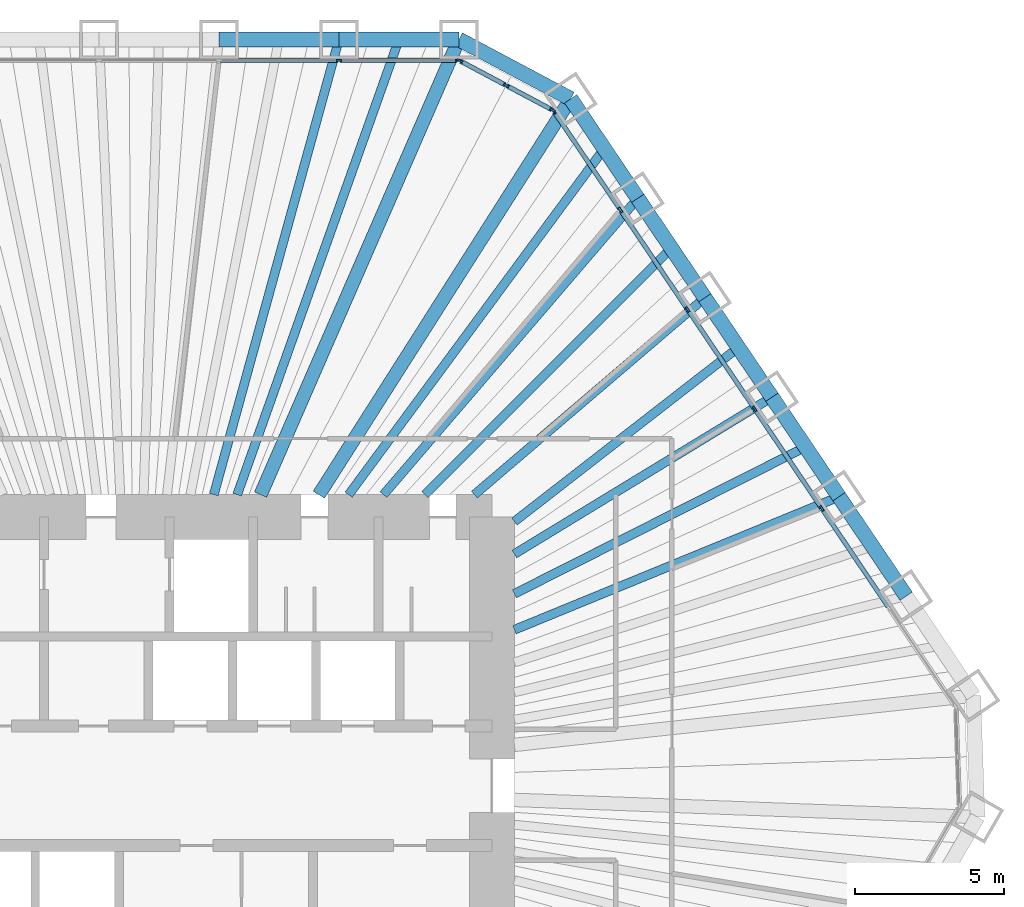
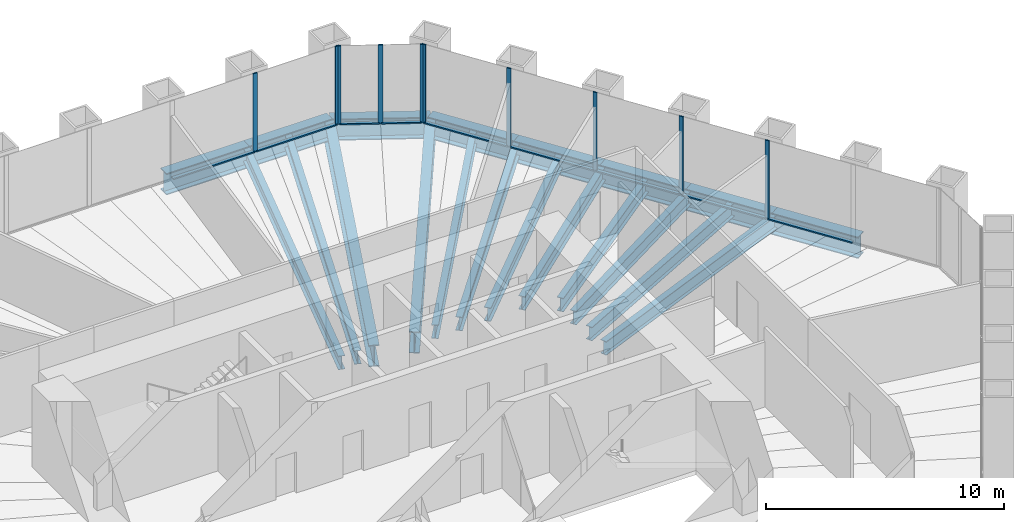
# One storey, part 7 of 13: 20 beams, 19 members, 3 elements without a shape of their own.
"""IFC4 building model written with IfcOpenShell, lengths in metres."""

from ifc_helpers import new_model, si_unit, direction, frame, origin, origin_2d, place, context, subcontext, project, spatial, rectangle, i_section, extrude, material, material_profile, profile_set, type_object, element, aggregate, save


model = new_model("IFC4")

# Units and contexts
model_context = context("Model", 3, precision=1e-05, world=origin(), true_north=direction((0.0, 1.0)))
body_context = subcontext(model_context, "Body", "Model", "MODEL_VIEW")
ifc_project = project(units=[si_unit("LENGTHUNIT", "METRE"), si_unit("AREAUNIT", "SQUARE_METRE"), si_unit("VOLUMEUNIT", "CUBIC_METRE"), si_unit("PLANEANGLEUNIT", "RADIAN"), si_unit("MASSUNIT", "GRAM", prefix="KILO")], contexts=[model_context])

# Site, building, storey
site_placement = place(None, origin())
site = spatial("IfcSite", under=ifc_project, at=site_placement, CompositionType="ELEMENT")
building_placement = place(site_placement, origin())
building = spatial("IfcBuilding", under=site, at=building_placement, Name="Qingtian Harvest Tower", CompositionType="ELEMENT")
storey_placement = place(building_placement, frame((0.0, 0.0, 153.39990234375)))
storey = spatial("IfcBuildingStorey", under=building, at=storey_placement, Name="L32", CompositionType="ELEMENT", Elevation=153.39990234375)

# Beams
ifc_material_1 = material(Name="Steel SM570MC", Category="steel")
ifc_material_profile_1 = material_profile(ifc_material_1, i_section(OverallWidth=0.449951171875, OverallDepth=1.10009765625, WebThickness=0.02197265625, FlangeThickness=0.044921875, at=origin_2d()), Name="H1100x450x22x45")
ifc_profile_set_1 = profile_set([ifc_material_profile_1], Name="Steel SM570MC")
beam_type_1 = type_object("IfcBeamType", Name="Corner floor beam FB8 H1100x450x22x45", PredefinedType="BEAM", material=ifc_profile_set_1)
beam_1_placement = place(storey_placement, frame((10.892822265625, 25.0, -0.719970703125), z_axis=(-0.399451016538, -0.916754539333, 0.0), x_axis=(0.916754539333, -0.399451016538, 0.0)))
element("IfcBeam", 1, at=beam_1_placement, inside=storey, type_object=beam_type_1, Name="Floor beam FB8 N6", PredefinedType="BEAM", context=body_context, shape_type="SweptSolid", body=[
    extrude(i_section(OverallWidth=0.449951171875, OverallDepth=1.10009765625, WebThickness=0.02197265625, FlangeThickness=0.044921875, at=origin_2d()), origin(), (0.0, 0.0, 1.0), 16.634765625),
])
beam_2_placement = place(storey_placement, frame((14.634765625, 23.01025390625, -0.719970703125), z_axis=(-0.536660352939, -0.843798355997, 0.0), x_axis=(0.843798355997, -0.536660352939, 0.0)))
element("IfcBeam", 2, at=beam_2_placement, inside=storey, type_object=beam_type_1, Name="Floor beam FB8 NE0", PredefinedType="BEAM", context=body_context, shape_type="SweptSolid", body=[
    extrude(i_section(OverallWidth=0.449951171875, OverallDepth=1.10009765625, WebThickness=0.02197265625, FlangeThickness=0.044921875, at=origin_2d()), origin(), (0.0, 0.0, 1.0), 15.71484375),
])
ifc_material_2 = material(Name="Steel SN490B", Category="steel")
ifc_material_profile_2 = material_profile(ifc_material_2, i_section(OverallWidth=0.300048828125, OverallDepth=0.699951171875, WebThickness=0.012939453125, FlangeThickness=0.02392578125, at=origin_2d()), Name="H700x300x13x24")
ifc_profile_set_2 = profile_set([ifc_material_profile_2], Name="Steel SN490B")
beam_type_2 = type_object("IfcBeamType", Name="Floor beam FB2 H700x300x13x24", PredefinedType="BEAM", material=ifc_profile_set_2)
beam_3_placement = place(storey_placement, frame((6.873779296875, 25.0, -0.52001953125), z_axis=(-0.265119170108, -0.964215653078, 0.0), x_axis=(0.964215653078, -0.265119170108, 0.0)))
element("IfcBeam", 3, at=beam_3_placement, inside=storey, type_object=beam_type_2, Name="Floor beam FB2 N5", PredefinedType="BEAM", context=body_context, shape_type="SweptSolid", body=[
    extrude(i_section(OverallWidth=0.300048828125, OverallDepth=0.699951171875, WebThickness=0.012939453125, FlangeThickness=0.02392578125, at=origin_2d()), origin(), (0.0, 0.0, 1.0), 15.81591796875),
])
beam_4_placement = place(storey_placement, frame((16.88232421875, 19.67822265625, -0.52001953125), z_axis=(-0.651140196702, -0.758957471957, 0.0), x_axis=(0.758957471957, -0.651140196702, 0.0)))
element("IfcBeam", 4, at=beam_4_placement, inside=storey, type_object=beam_type_2, Name="Floor beam FB2 NE1", PredefinedType="BEAM", context=body_context, shape_type="SweptSolid", body=[
    extrude(i_section(OverallWidth=0.300048828125, OverallDepth=0.699951171875, WebThickness=0.012939453125, FlangeThickness=0.02392578125, at=origin_2d()), origin(), (0.0, 0.0, 1.0), 13.081298828125),
])
beam_5_placement = place(storey_placement, frame((19.129638671875, 16.346435546875, -0.52001953125), z_axis=(-0.760241810635, -0.649640199928, 0.0), x_axis=(0.649640199928, -0.760241810635, 0.0)))
element("IfcBeam", 5, at=beam_5_placement, inside=storey, type_object=beam_type_2, Name="Floor beam FB2 NE2", PredefinedType="BEAM", context=body_context, shape_type="SweptSolid", body=[
    extrude(i_section(OverallWidth=0.300048828125, OverallDepth=0.699951171875, WebThickness=0.012939453125, FlangeThickness=0.02392578125, at=origin_2d()), origin(), (0.0, 0.0, 1.0), 10.154052734375),
])
beam_6_placement = place(storey_placement, frame((21.377197265625, 13.014404296875, -0.52001953125), z_axis=(-0.854160745245, -0.520009058846, 0.0), x_axis=(0.520009058846, -0.854160745245, 0.0)))
element("IfcBeam", 6, at=beam_6_placement, inside=storey, type_object=beam_type_2, Name="Floor beam FB2 NE3", PredefinedType="BEAM", context=body_context, shape_type="SweptSolid", body=[
    extrude(i_section(OverallWidth=0.300048828125, OverallDepth=0.699951171875, WebThickness=0.012939453125, FlangeThickness=0.02392578125, at=origin_2d()), origin(), (0.0, 0.0, 1.0), 10.10009765625),
])
beam_7_placement = place(storey_placement, frame((23.62451171875, 9.682373046875, -0.52001953125), z_axis=(-0.925304541163, -0.379224875375, 0.0), x_axis=(0.379224875375, -0.925304541163, 0.0)))
element("IfcBeam", 7, at=beam_7_placement, inside=storey, type_object=beam_type_2, Name="Floor beam FB2 NE4", PredefinedType="BEAM", context=body_context, shape_type="SweptSolid", body=[
    extrude(i_section(OverallWidth=0.300048828125, OverallDepth=0.699951171875, WebThickness=0.012939453125, FlangeThickness=0.02392578125, at=origin_2d()), origin(), (0.0, 0.0, 1.0), 11.75244140625),
])
ifc_material_3 = material(Name="Steel SN490B", Category="steel")
ifc_material_profile_3 = material_profile(ifc_material_3, i_section(OverallWidth=0.300048828125, OverallDepth=0.699951171875, WebThickness=0.012939453125, FlangeThickness=0.02392578125, at=origin_2d()), Name="H700x300x13x24")
ifc_profile_set_3 = profile_set([ifc_material_profile_3], Name="Steel SN490B")
beam_type_3 = type_object("IfcBeamType", Name="Floor joist J2 H700x300x13x24", PredefinedType="JOIST", material=ifc_profile_set_3)
beam_8_placement = place(storey_placement, frame((8.88330078125, 25.0, -0.52001953125), z_axis=(-0.334829909573, -0.94227858495, 0.0), x_axis=(0.94227858495, -0.334829909573, 0.0)))
element("IfcBeam", 8, at=beam_8_placement, inside=storey, type_object=beam_type_3, Name="Floor joist J2 N5", PredefinedType="JOIST", context=body_context, shape_type="SweptSolid", body=[
    extrude(i_section(OverallWidth=0.300048828125, OverallDepth=0.699951171875, WebThickness=0.012939453125, FlangeThickness=0.02392578125, at=origin_2d()), origin(), (0.0, 0.0, 1.0), 16.18408203125),
])
beam_9_placement = place(storey_placement, frame((15.758544921875, 21.34423828125, -0.52001953125), z_axis=(-0.593960386058, -0.804494288229, 0.0), x_axis=(0.804494288229, -0.593960386058, 0.0)))
element("IfcBeam", 9, at=beam_9_placement, inside=storey, type_object=beam_type_3, Name="Floor joist J2 NE0", PredefinedType="JOIST", context=body_context, shape_type="SweptSolid", body=[
    extrude(i_section(OverallWidth=0.300048828125, OverallDepth=0.699951171875, WebThickness=0.012939453125, FlangeThickness=0.02392578125, at=origin_2d()), origin(), (0.0, 0.0, 1.0), 14.411865234375),
])
beam_10_placement = place(storey_placement, frame((18.005859375, 18.012451171875, -0.52001953125), z_axis=(-0.706970932755, -0.707242603524, 0.0), x_axis=(0.707242603524, -0.706970932755, 0.0)))
element("IfcBeam", 10, at=beam_10_placement, inside=storey, type_object=beam_type_3, Name="Floor joist J2 NE1", PredefinedType="JOIST", context=body_context, shape_type="SweptSolid", body=[
    extrude(i_section(OverallWidth=0.300048828125, OverallDepth=0.699951171875, WebThickness=0.012939453125, FlangeThickness=0.02392578125, at=origin_2d()), origin(), (0.0, 0.0, 1.0), 11.6826171875),
])
beam_11_placement = place(storey_placement, frame((20.25341796875, 14.680419921875, -0.52001953125), z_axis=(-0.789641272199, -0.61356879096, 0.0), x_axis=(0.61356879096, -0.789641272199, 0.0)))
element("IfcBeam", 11, at=beam_11_placement, inside=storey, type_object=beam_type_3, Name="Floor joist J2 NE2", PredefinedType="JOIST", context=body_context, shape_type="SweptSolid", body=[
    extrude(i_section(OverallWidth=0.300048828125, OverallDepth=0.699951171875, WebThickness=0.012939453125, FlangeThickness=0.02392578125, at=origin_2d()), origin(), (0.0, 0.0, 1.0), 9.502197265625),
])
beam_12_placement = place(storey_placement, frame((22.500732421875, 11.348388671875, -0.52001953125), z_axis=(-0.892861323685, -0.450331718478, 0.0), x_axis=(0.450331718478, -0.892861323685, 0.0)))
element("IfcBeam", 12, at=beam_12_placement, inside=storey, type_object=beam_type_3, Name="Floor joist J2 NE3", PredefinedType="JOIST", context=body_context, shape_type="SweptSolid", body=[
    extrude(i_section(OverallWidth=0.300048828125, OverallDepth=0.699951171875, WebThickness=0.012939453125, FlangeThickness=0.02392578125, at=origin_2d()), origin(), (0.0, 0.0, 1.0), 10.920654296875),
])

# Curtain wall, members
ifc_material_4 = material(Name="Bronze-anodised aluminium curtain wall", Category="aluminium")
curtain_wall_type = type_object("IfcCurtainWallType", Name="Curtain wall CW4 office", PredefinedType="USERDEFINED", material=ifc_material_4)
curtain_wall_1_placement = place(storey_placement, origin())
curtain_wall_1 = element("IfcCurtainWall", 13, at=curtain_wall_1_placement, inside=storey, type_object=curtain_wall_type, Name="Curtain wall CW4 L32 N0-5", ObjectType="RECESSED CURTAIN WALL", PredefinedType="USERDEFINED")
ifc_material_5 = material(Name="Bronze-anodised aluminium mullion", Category="aluminium")
ifc_material_profile_4 = material_profile(ifc_material_5, rectangle(XDim=0.06494140625, YDim=0.199951171875, at=origin_2d()), Name="AL 65x200")
ifc_profile_set_4 = profile_set([ifc_material_profile_4], Name="Bronze-anodised aluminium mullion")
member_type_1 = type_object("IfcMemberType", Name="Mullion CWM 65x200", PredefinedType="MULLION", material=ifc_profile_set_4)
member_1_placement = place(storey_placement, frame((6.873779296875, 24.300048828125, 0.0), z_axis=(0.0, 0.0, 1.0), x_axis=(0.0, 1.0, 0.0)))
member_1 = element("IfcMember", 14, at=member_1_placement, type_object=member_type_1, Name="CW4 mullion 6", PredefinedType="MULLION", context=body_context, shape_type="SweptSolid", body=[
    extrude(rectangle(XDim=0.06494140625, YDim=0.199951171875, at=origin_2d()), origin(), (0.0, 0.0, 1.0), 4.030029296875),
])
member_2_placement = place(storey_placement, frame((10.8603515625, 24.300048828125, 0.0), z_axis=(0.0, 0.0, 1.0), x_axis=(0.0, 1.0, 0.0)))
member_2 = element("IfcMember", 15, at=member_2_placement, type_object=member_type_1, Name="CW4 mullion 7", PredefinedType="MULLION", context=body_context, shape_type="SweptSolid", body=[
    extrude(rectangle(XDim=0.06494140625, YDim=0.199951171875, at=origin_2d()), origin(), (0.0, 0.0, 1.0), 4.030029296875),
])

curtain_wall_2_placement = place(storey_placement, origin())
curtain_wall_2 = element("IfcCurtainWall", 16, at=curtain_wall_2_placement, inside=storey, type_object=curtain_wall_type, Name="Curtain wall CW4 L32 NC", ObjectType="RECESSED CURTAIN WALL", PredefinedType="USERDEFINED")
member_3_placement = place(storey_placement, frame((10.92138671875, 24.28466796875, 0.0), z_axis=(0.0, 0.0, 1.0), x_axis=(0.469471562786, 0.882947592859, 0.0)))
member_3 = element("IfcMember", 17, at=member_3_placement, type_object=member_type_1, Name="CW4 mullion 1", PredefinedType="MULLION", context=body_context, shape_type="SweptSolid", body=[
    extrude(rectangle(XDim=0.06494140625, YDim=0.199951171875, at=origin_2d()), origin(), (0.0, 0.0, 1.0), 4.030029296875),
])
member_4_placement = place(storey_placement, frame((12.4736328125, 23.45947265625, 0.0), z_axis=(0.0, 0.0, 1.0), x_axis=(0.469471562786, 0.882947592859, 0.0)))
member_4 = element("IfcMember", 18, at=member_4_placement, type_object=member_type_1, Name="CW4 mullion 2", PredefinedType="MULLION", context=body_context, shape_type="SweptSolid", body=[
    extrude(rectangle(XDim=0.06494140625, YDim=0.199951171875, at=origin_2d()), origin(), (0.0, 0.0, 1.0), 4.030029296875),
])
member_5_placement = place(storey_placement, frame((14.02587890625, 22.634033203125, 0.0), z_axis=(0.0, 0.0, 1.0), x_axis=(0.469471562786, 0.882947592859, 0.0)))
member_5 = element("IfcMember", 19, at=member_5_placement, type_object=member_type_1, Name="CW4 mullion 3", PredefinedType="MULLION", context=body_context, shape_type="SweptSolid", body=[
    extrude(rectangle(XDim=0.06494140625, YDim=0.199951171875, at=origin_2d()), origin(), (0.0, 0.0, 1.0), 4.030029296875),
])

curtain_wall_3_placement = place(storey_placement, origin())
curtain_wall_3 = element("IfcCurtainWall", 20, at=curtain_wall_3_placement, inside=storey, type_object=curtain_wall_type, Name="Curtain wall CW4 L32 NE0-5", ObjectType="RECESSED CURTAIN WALL", PredefinedType="USERDEFINED")
member_6_placement = place(storey_placement, frame((14.07275390625, 22.592041015625, 0.0), z_axis=(0.0, 0.0, 1.0), x_axis=(0.829037572555, 0.559192903471, 0.0)))
member_6 = element("IfcMember", 21, at=member_6_placement, type_object=member_type_1, Name="CW4 mullion 1", PredefinedType="MULLION", context=body_context, shape_type="SweptSolid", body=[
    extrude(rectangle(XDim=0.06494140625, YDim=0.199951171875, at=origin_2d()), origin(), (0.0, 0.0, 1.0), 4.030029296875),
])
member_7_placement = place(storey_placement, frame((16.302001953125, 19.286865234375, 0.0), z_axis=(0.0, 0.0, 1.0), x_axis=(0.829037572555, 0.559192903471, 0.0)))
member_7 = element("IfcMember", 22, at=member_7_placement, type_object=member_type_1, Name="CW4 mullion 2", PredefinedType="MULLION", context=body_context, shape_type="SweptSolid", body=[
    extrude(rectangle(XDim=0.06494140625, YDim=0.199951171875, at=origin_2d()), origin(), (0.0, 0.0, 1.0), 4.030029296875),
])
member_8_placement = place(storey_placement, frame((18.54931640625, 15.954833984375, 0.0), z_axis=(0.0, 0.0, 1.0), x_axis=(0.829037572555, 0.559192903471, 0.0)))
member_8 = element("IfcMember", 23, at=member_8_placement, type_object=member_type_1, Name="CW4 mullion 3", PredefinedType="MULLION", context=body_context, shape_type="SweptSolid", body=[
    extrude(rectangle(XDim=0.06494140625, YDim=0.199951171875, at=origin_2d()), origin(), (0.0, 0.0, 1.0), 4.030029296875),
])
member_9_placement = place(storey_placement, frame((20.796875, 12.623046875, 0.0), z_axis=(0.0, 0.0, 1.0), x_axis=(0.829037572555, 0.559192903471, 0.0)))
member_9 = element("IfcMember", 24, at=member_9_placement, type_object=member_type_1, Name="CW4 mullion 4", PredefinedType="MULLION", context=body_context, shape_type="SweptSolid", body=[
    extrude(rectangle(XDim=0.06494140625, YDim=0.199951171875, at=origin_2d()), origin(), (0.0, 0.0, 1.0), 4.030029296875),
])
member_10_placement = place(storey_placement, frame((23.044189453125, 9.291015625, 0.0), z_axis=(0.0, 0.0, 1.0), x_axis=(0.829037572555, 0.559192903471, 0.0)))
member_10 = element("IfcMember", 25, at=member_10_placement, type_object=member_type_1, Name="CW4 mullion 5", PredefinedType="MULLION", context=body_context, shape_type="SweptSolid", body=[
    extrude(rectangle(XDim=0.06494140625, YDim=0.199951171875, at=origin_2d()), origin(), (0.0, 0.0, 1.0), 4.030029296875),
])

# Beams
ifc_material_6 = material(Name="Steel SM570MC", Category="steel")
ifc_material_profile_5 = material_profile(ifc_material_6, i_section(OverallWidth=0.5, OverallDepth=1.10009765625, WebThickness=0.02490234375, FlangeThickness=0.050048828125, at=origin_2d()), Name="H1100x500x25x50")
ifc_profile_set_5 = profile_set([ifc_material_profile_5], Name="Steel SM570MC")
beam_type_4 = type_object("IfcBeamType", Name="Spandrel beam SB2 H1100x500x25x50", PredefinedType="SPANDREL", material=ifc_profile_set_5)
beam_13_placement = place(storey_placement, frame((2.8544921875, 25.0, -0.5498046875), z_axis=(1.0, 0.0, 0.0), x_axis=(0.0, 1.0, 0.0)))
element("IfcBeam", 26, at=beam_13_placement, inside=storey, type_object=beam_type_4, Name="Spandrel SB2 N4", PredefinedType="SPANDREL", context=body_context, shape_type="SweptSolid", body=[
    extrude(i_section(OverallWidth=0.5, OverallDepth=1.10009765625, WebThickness=0.02490234375, FlangeThickness=0.050048828125, at=origin_2d()), origin(), (0.0, 0.0, 1.0), 4.019287109375),
])
beam_14_placement = place(storey_placement, frame((6.873779296875, 25.0, -0.5498046875), z_axis=(1.0, 0.0, 0.0), x_axis=(0.0, 1.0, 0.0)))
element("IfcBeam", 27, at=beam_14_placement, inside=storey, type_object=beam_type_4, Name="Spandrel SB2 N5", PredefinedType="SPANDREL", context=body_context, shape_type="SweptSolid", body=[
    extrude(i_section(OverallWidth=0.5, OverallDepth=1.10009765625, WebThickness=0.02490234375, FlangeThickness=0.050048828125, at=origin_2d()), origin(), (0.0, 0.0, 1.0), 4.01904296875),
])
beam_15_placement = place(storey_placement, frame((10.892822265625, 25.0, -0.5498046875), z_axis=(0.882935902835, -0.469493547863, 0.0), x_axis=(0.469493547863, 0.882935902835, 0.0)))
element("IfcBeam", 28, at=beam_15_placement, inside=storey, type_object=beam_type_4, Name="Spandrel SB2 NC", PredefinedType="SPANDREL", context=body_context, shape_type="SweptSolid", body=[
    extrude(i_section(OverallWidth=0.5, OverallDepth=1.10009765625, WebThickness=0.02490234375, FlangeThickness=0.050048828125, at=origin_2d()), origin(), (0.0, 0.0, 1.0), 4.238037109375),
])
beam_16_placement = place(storey_placement, frame((14.634765625, 23.01025390625, -0.5498046875), z_axis=(0.559205752254, -0.829028905796, 0.0), x_axis=(0.829028905796, 0.559205752254, 0.0)))
element("IfcBeam", 29, at=beam_16_placement, inside=storey, type_object=beam_type_4, Name="Spandrel SB2 NE0", PredefinedType="SPANDREL", context=body_context, shape_type="SweptSolid", body=[
    extrude(i_section(OverallWidth=0.5, OverallDepth=1.10009765625, WebThickness=0.02490234375, FlangeThickness=0.050048828125, at=origin_2d()), origin(), (0.0, 0.0, 1.0), 4.019287109375),
])
beam_17_placement = place(storey_placement, frame((16.88232421875, 19.67822265625, -0.5498046875), z_axis=(0.55919216322, -0.82903807186, 0.0), x_axis=(0.82903807186, 0.55919216322, 0.0)))
element("IfcBeam", 30, at=beam_17_placement, inside=storey, type_object=beam_type_4, Name="Spandrel SB2 NE1", PredefinedType="SPANDREL", context=body_context, shape_type="SweptSolid", body=[
    extrude(i_section(OverallWidth=0.5, OverallDepth=1.10009765625, WebThickness=0.02490234375, FlangeThickness=0.050048828125, at=origin_2d()), origin(), (0.0, 0.0, 1.0), 4.018798828125),
])
beam_18_placement = place(storey_placement, frame((19.129638671875, 16.346435546875, -0.5498046875), z_axis=(0.559205752254, -0.829028905796, 0.0), x_axis=(0.829028905796, 0.559205752254, 0.0)))
element("IfcBeam", 31, at=beam_18_placement, inside=storey, type_object=beam_type_4, Name="Spandrel SB2 NE2", PredefinedType="SPANDREL", context=body_context, shape_type="SweptSolid", body=[
    extrude(i_section(OverallWidth=0.5, OverallDepth=1.10009765625, WebThickness=0.02490234375, FlangeThickness=0.050048828125, at=origin_2d()), origin(), (0.0, 0.0, 1.0), 4.019287109375),
])
for number, where, z_axis, x_axis, name in (
    (32, (21.377197265625, 13.014404296875, -0.5498046875), (0.55916400171, -0.829057066306, 0.0), (0.829057066306, 0.55916400171, 0.0), "Spandrel SB2 NE3"),
    (33, (23.62451171875, 9.682373046875, -0.5498046875), (0.559233913953, -0.829009909159, 0.0), (0.829009909159, 0.559233913953, 0.0), "Spandrel SB2 NE4"),
):
    element("IfcBeam", number, at=place(storey_placement, frame(where, z_axis=z_axis, x_axis=x_axis)), inside=storey, type_object=beam_type_4, Name=name, PredefinedType="SPANDREL", context=body_context, shape_type="SweptSolid", body=[
        extrude(i_section(OverallWidth=0.5, OverallDepth=1.10009765625, WebThickness=0.02490234375, FlangeThickness=0.050048828125, at=origin_2d()), origin(), (0.0, 0.0, 1.0), 4.01904296875),
    ])

# Member
ifc_material_7 = material(Name="Bronze-anodised aluminium transom", Category="aluminium")
ifc_material_profile_6 = material_profile(ifc_material_7, rectangle(XDim=0.14990234375, YDim=0.06494140625, at=origin_2d()), Name="AL 65x150")
ifc_profile_set_6 = profile_set([ifc_material_profile_6], Name="Bronze-anodised aluminium transom")
member_type_2 = type_object("IfcMemberType", Name="Transom CWT 65x150", PredefinedType="USERDEFINED", material=ifc_profile_set_6)
member_11_placement = place(storey_placement, frame((2.886962890625, 24.300048828125, 0.03271484375), z_axis=(1.0, 0.0, 0.0), x_axis=(0.0, 1.0, 0.0)))
member_11 = element("IfcMember", 34, at=member_11_placement, type_object=member_type_2, Name="CW4 transom 5.1", ObjectType="TRANSOM", PredefinedType="USERDEFINED", context=body_context, shape_type="SweptSolid", body=[
    extrude(rectangle(XDim=0.14990234375, YDim=0.06494140625, at=origin_2d()), origin(), (0.0, 0.0, 1.0), 3.9541015625),
])

member_12_placement = place(storey_placement, frame((6.90625, 24.300048828125, 0.03271484375), z_axis=(1.0, 0.0, 0.0), x_axis=(0.0, 1.0, 0.0)))
member_12 = element("IfcMember", 35, at=member_12_placement, type_object=member_type_2, Name="CW4 transom 6.1", ObjectType="TRANSOM", PredefinedType="USERDEFINED", context=body_context, shape_type="SweptSolid", body=[
    extrude(rectangle(XDim=0.14990234375, YDim=0.06494140625, at=origin_2d()), origin(), (0.0, 0.0, 1.0), 3.92138671875),
])

aggregate(curtain_wall_1, [member_1, member_2, member_11, member_12])

member_13_placement = place(storey_placement, frame((10.9501953125, 24.26953125, 0.03271484375), z_axis=(0.882895287784, -0.469569921108, 0.0), x_axis=(0.469569921108, 0.882895287784, 0.0)))
member_13 = element("IfcMember", 36, at=member_13_placement, type_object=member_type_2, Name="CW4 transom 1.1", ObjectType="TRANSOM", PredefinedType="USERDEFINED", context=body_context, shape_type="SweptSolid", body=[
    extrude(rectangle(XDim=0.14990234375, YDim=0.06494140625, at=origin_2d()), origin(), (0.0, 0.0, 1.0), 1.69287109375),
])

member_14_placement = place(storey_placement, frame((12.502197265625, 23.444091796875, 0.03271484375), z_axis=(0.882986854304, -0.469397715297, 0.0), x_axis=(0.469397715297, 0.882986854304, 0.0)))
member_14 = element("IfcMember", 37, at=member_14_placement, type_object=member_type_2, Name="CW4 transom 2.1", ObjectType="TRANSOM", PredefinedType="USERDEFINED", context=body_context, shape_type="SweptSolid", body=[
    extrude(rectangle(XDim=0.14990234375, YDim=0.06494140625, at=origin_2d()), origin(), (0.0, 0.0, 1.0), 1.69287109375),
])

aggregate(curtain_wall_2, [member_3, member_4, member_5, member_13, member_14])

member_15_placement = place(storey_placement, frame((14.0908203125, 22.56494140625, 0.03271484375), z_axis=(0.55920336949, -0.82903051304, 0.0), x_axis=(0.82903051304, 0.55920336949, 0.0)))
member_15 = element("IfcMember", 38, at=member_15_placement, type_object=member_type_2, Name="CW4 transom 1.1", ObjectType="TRANSOM", PredefinedType="USERDEFINED", context=body_context, shape_type="SweptSolid", body=[
    extrude(rectangle(XDim=0.14990234375, YDim=0.06494140625, at=origin_2d()), origin(), (0.0, 0.0, 1.0), 3.92138671875),
])

member_16_placement = place(storey_placement, frame((16.320068359375, 19.260009765625, 0.03271484375), z_axis=(0.55920878069, -0.829026863014, 0.0), x_axis=(0.829026863014, 0.55920878069, 0.0)))
member_16 = element("IfcMember", 39, at=member_16_placement, type_object=member_type_2, Name="CW4 transom 2.1", ObjectType="TRANSOM", PredefinedType="USERDEFINED", context=body_context, shape_type="SweptSolid", body=[
    extrude(rectangle(XDim=0.14990234375, YDim=0.06494140625, at=origin_2d()), origin(), (0.0, 0.0, 1.0), 3.9541015625),
])

member_17_placement = place(storey_placement, frame((18.567626953125, 15.927978515625, 0.03271484375), z_axis=(0.559166343236, -0.82905548704, 0.0), x_axis=(0.82905548704, 0.559166343236, 0.0)))
member_17 = element("IfcMember", 40, at=member_17_placement, type_object=member_type_2, Name="CW4 transom 3.1", ObjectType="TRANSOM", PredefinedType="USERDEFINED", context=body_context, shape_type="SweptSolid", body=[
    extrude(rectangle(XDim=0.14990234375, YDim=0.06494140625, at=origin_2d()), origin(), (0.0, 0.0, 1.0), 3.9541015625),
])

member_18_placement = place(storey_placement, frame((20.81494140625, 12.595947265625, 0.03271484375), z_axis=(0.55920878069, -0.829026863014, 0.0), x_axis=(0.829026863014, 0.55920878069, 0.0)))
member_18 = element("IfcMember", 41, at=member_18_placement, type_object=member_type_2, Name="CW4 transom 4.1", ObjectType="TRANSOM", PredefinedType="USERDEFINED", context=body_context, shape_type="SweptSolid", body=[
    extrude(rectangle(XDim=0.14990234375, YDim=0.06494140625, at=origin_2d()), origin(), (0.0, 0.0, 1.0), 3.9541015625),
])

member_19_placement = place(storey_placement, frame((23.0625, 9.26416015625, 0.03271484375), z_axis=(0.559166343236, -0.82905548704, 0.0), x_axis=(0.82905548704, 0.559166343236, 0.0)))
member_19 = element("IfcMember", 42, at=member_19_placement, type_object=member_type_2, Name="CW4 transom 5.1", ObjectType="TRANSOM", PredefinedType="USERDEFINED", context=body_context, shape_type="SweptSolid", body=[
    extrude(rectangle(XDim=0.14990234375, YDim=0.06494140625, at=origin_2d()), origin(), (0.0, 0.0, 1.0), 3.9541015625),
])

aggregate(curtain_wall_3, [member_6, member_7, member_8, member_9, member_10, member_15, member_16, member_17, member_18, member_19])

save(model, "model.ifc")
